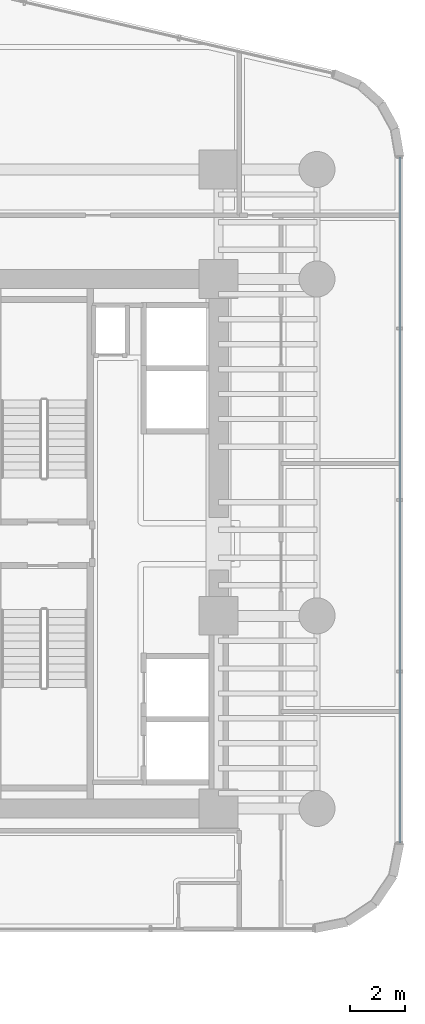
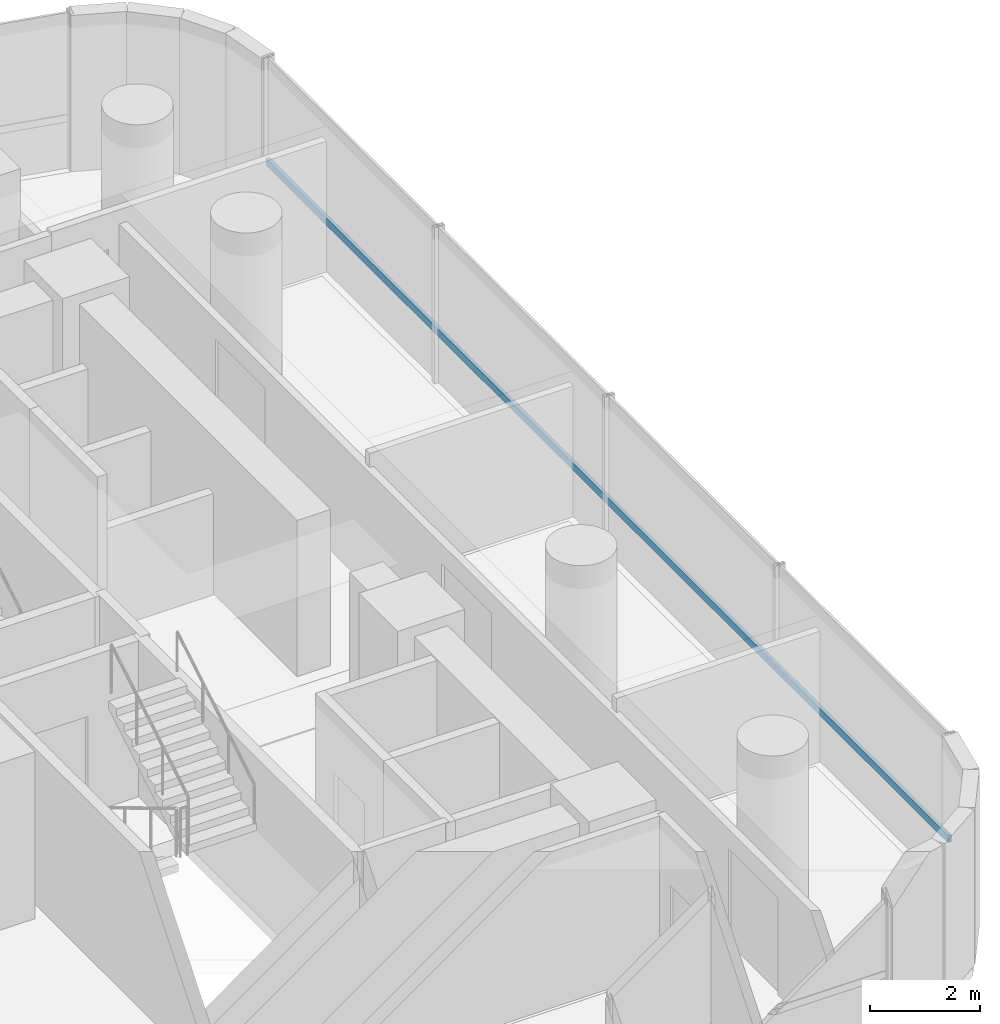
# One storey, part 26 of 41: 1 member, 1 element without a shape of its own.
"""IFC4 building model written with IfcOpenShell, lengths in metres."""

import ifcopenshell
import ifcopenshell.guid

model = None  # the IFC model being written
_history = None  # IfcOwnerHistory: only IFC2X3 demands one
_inside = {}  # id of a spatial element -> (the spatial element, [elements in it])
_under = {}  # id of a project, library or spatial element -> (it, [spatial elements below it])
_declared = {}  # id of a project -> (the project, [libraries it declares])
_typed = {}  # id of a type object -> (the type object, [elements of that type])
_made_of = {}  # id of a material, layer set ... -> (it, [elements and type objects made of it])


def new_model(schema):
    """Start an empty IFC model of exactly this schema.

    Asked for "IFC4X3", IfcOpenShell would pick the latest addendum, in which some entities
    have other attributes; the version numbers below select the first issue.
    IFC2X3 requires an IfcOwnerHistory on every rooted entity: one is made here for all.
    """
    global model, _history
    if schema == "IFC4X3":
        model = ifcopenshell.file(schema_version=(4, 3, 0, 0))
    else:
        model = ifcopenshell.file(schema=schema)
    _inside.clear()
    _under.clear()
    _declared.clear()
    _typed.clear()
    _made_of.clear()
    _history = None
    if model.schema == "IFC2X3":
        org = make("IfcOrganization", Name="unknown")
        user = make(
            "IfcPersonAndOrganization",
            ThePerson=make("IfcPerson", FamilyName="unknown"),
            TheOrganization=org,
        )
        app = make(
            "IfcApplication",
            ApplicationDeveloper=org,
            Version="unknown",
            ApplicationFullName="unknown",
            ApplicationIdentifier="unknown",
        )
        _history = make(
            "IfcOwnerHistory",
            OwningUser=user,
            OwningApplication=app,
            ChangeAction="ADDED",
            CreationDate=0,
        )
    return model


def make(cls, **values):
    """One entity of the class cls with the attributes given. An attribute that is None is left unset."""
    return model.create_entity(
        cls, **{name: value for name, value in values.items() if value is not None}
    )


def rooted(cls, **values):
    """An entity with a GlobalId (a new one), such as an element, a storey or a relation."""
    return make(cls, GlobalId=ifcopenshell.guid.new(), OwnerHistory=_history, **values)


def si_unit(unit_type, name, prefix=None):
    """IfcSIUnit, for example si_unit("LENGTHUNIT", "METRE", prefix="MILLI")."""
    return make("IfcSIUnit", UnitType=unit_type, Prefix=prefix, Name=name)


def assignment(units):
    """IfcUnitAssignment: the units of a project."""
    return None if units is None else make("IfcUnitAssignment", Units=units)


def point(xyz):
    """IfcCartesianPoint."""
    return None if xyz is None else make("IfcCartesianPoint", Coordinates=xyz)


def direction(xyz):
    """IfcDirection."""
    return None if xyz is None else make("IfcDirection", DirectionRatios=xyz)


def frame(location, z_axis=None, x_axis=None):
    """IfcAxis2Placement3D, a coordinate frame: its origin and axes. An axis left out is left unset."""
    return make(
        "IfcAxis2Placement3D",
        Location=point(location),
        Axis=direction(z_axis),
        RefDirection=direction(x_axis),
    )


def frame_2d(location, x_axis=None):
    """IfcAxis2Placement2D, a coordinate frame in the plane: its origin and x axis."""
    return make(
        "IfcAxis2Placement2D", Location=point(location), RefDirection=direction(x_axis)
    )


def origin():
    """The frame at (0, 0, 0) with its axes left unset."""
    return frame((0.0, 0.0, 0.0))


def origin_2d():
    """The frame at (0, 0) in the plane with its x axis left unset."""
    return frame_2d((0.0, 0.0))


def place(relative_to, where):
    """IfcLocalPlacement: puts the frame where relative to a parent placement (None: the world)."""
    return make(
        "IfcLocalPlacement", PlacementRelTo=relative_to, RelativePlacement=where
    )


def context(
    kind, dimensions, precision=None, world=None, true_north=None, identifier=None
):
    """IfcGeometricRepresentationContext, for example the 3D "Model" context."""
    return make(
        "IfcGeometricRepresentationContext",
        ContextIdentifier=identifier,
        ContextType=kind,
        CoordinateSpaceDimension=dimensions,
        Precision=precision,
        WorldCoordinateSystem=world,
        TrueNorth=true_north,
    )


def subcontext(parent, identifier, kind, view, scale=None):
    """IfcGeometricRepresentationSubContext, for example "Body" below "Model"."""
    return make(
        "IfcGeometricRepresentationSubContext",
        ContextIdentifier=identifier,
        ContextType=kind,
        ParentContext=parent,
        TargetScale=scale,
        TargetView=view,
    )


def project(units=None, contexts=None):
    """IfcProject with its units and contexts."""
    return rooted(
        "IfcProject",
        Name="project",
        RepresentationContexts=contexts,
        UnitsInContext=assignment(units),
    )


def spatial(cls, under=None, at=None, **own):
    """A site, building, storey or space (cls), placed at a placement, below another one or the project."""
    s = rooted(cls, ObjectPlacement=at, **own)
    if under is not None:
        _under.setdefault(under.id(), (under, []))[1].append(s)
    return s


def profile(cls, at=None, kind="AREA", **sizes):
    """A parametric profile (cls). Its sizes go by their IFC names, for example OverallWidth=200.0."""
    return make(cls, ProfileType=kind, Position=at, **sizes)


def hollow_rectangle(**sizes):
    """IfcRectangleHollowProfileDef."""
    return profile("IfcRectangleHollowProfileDef", **sizes)


def extrude(swept, where, along, depth):
    """IfcExtrudedAreaSolid: the profile swept, set in the frame where, extruded along a direction by depth."""
    return make(
        "IfcExtrudedAreaSolid",
        SweptArea=swept,
        Position=where,
        ExtrudedDirection=direction(along),
        Depth=depth,
    )


def shape(context_of_items, identifier, shape_type, items):
    """IfcShapeRepresentation: the items that make up one representation, for example the "Body"."""
    return make(
        "IfcShapeRepresentation",
        ContextOfItems=context_of_items,
        RepresentationIdentifier=identifier,
        RepresentationType=shape_type,
        Items=items,
    )


def source(mapping_origin, context_of_items, identifier, shape_type, items):
    """IfcRepresentationMap: a shape defined once, which mapped items show again and again."""
    return make(
        "IfcRepresentationMap",
        MappingOrigin=mapping_origin,
        MappedRepresentation=shape(context_of_items, identifier, shape_type, items),
    )


def transform(
    local_origin,
    x_axis=None,
    y_axis=None,
    z_axis=None,
    scale=None,
    scale2=None,
    scale3=None,
    uniform=True,
):
    """IfcCartesianTransformationOperator3D, or its non-uniform kind. x_axis, y_axis, z_axis: its Axis1, 2, 3."""
    if uniform:
        return make(
            "IfcCartesianTransformationOperator3D",
            Axis1=direction(x_axis),
            Axis2=direction(y_axis),
            LocalOrigin=point(local_origin),
            Scale=scale,
            Axis3=direction(z_axis),
        )
    return make(
        "IfcCartesianTransformationOperator3DnonUniform",
        Axis1=direction(x_axis),
        Axis2=direction(y_axis),
        LocalOrigin=point(local_origin),
        Scale=scale,
        Axis3=direction(z_axis),
        Scale2=scale2,
        Scale3=scale3,
    )


def mapped(mapping_source, mapping_target):
    """IfcMappedItem: shows the shape of a source again, moved by a transform."""
    return make(
        "IfcMappedItem", MappingSource=mapping_source, MappingTarget=mapping_target
    )


def material(Name=None, Category=None):
    """IfcMaterial."""
    return make("IfcMaterial", Name=Name, Category=Category)


def material_profile(
    of_material, cross_section, Name=None, Category=None, Priority=None
):
    """IfcMaterialProfile: a cross section and its material."""
    return make(
        "IfcMaterialProfile",
        Name=Name,
        Material=of_material,
        Profile=cross_section,
        Priority=Priority,
        Category=Category,
    )


def profile_set(profiles, Name=None, composite=None):
    """IfcMaterialProfileSet."""
    return make(
        "IfcMaterialProfileSet",
        Name=Name,
        MaterialProfiles=profiles,
        CompositeProfile=composite,
    )


def made_of(thing, what):
    """Note that an element or type object is made of a material, layer set ...; save() writes the relation."""
    if what is not None:
        _made_of.setdefault(what.id(), (what, []))[1].append(thing)
    return thing


def type_object(cls, material=None, **own):
    """A type object (cls), such as IfcWallType, which elements share."""
    return made_of(rooted(cls, **own), material)


def element(
    cls,
    number,
    at=None,
    inside=None,
    cuts=None,
    type_object=None,
    material=None,
    context=None,
    identifier="Body",
    shape_type=None,
    held_by="IfcProductDefinitionShape",
    body=None,
    shapes=None,
    **own,
):
    """One element of the class cls, such as IfcWall. Its Tag is "e" and its number.

    at: its placement. inside: the storey or other place that contains it. cuts: it is an
    opening in that element (IfcRelVoidsElement). A single representation is given by context,
    identifier, shape_type and body (its items); several are given by shapes. held_by: the class
    of the entity that holds the representations. save() writes the other relations.
    """
    e = rooted(cls, Tag="e%d" % number, ObjectPlacement=at, **own)
    if body is not None:
        shapes = [shape(context, identifier, shape_type, body)]
    if shapes is not None:
        e.Representation = make(held_by, Representations=shapes)
    if inside is not None:
        _inside.setdefault(inside.id(), (inside, []))[1].append(e)
    if cuts is not None:
        rooted(
            "IfcRelVoidsElement", RelatingBuildingElement=cuts, RelatedOpeningElement=e
        )
    if type_object is not None:
        _typed.setdefault(type_object.id(), (type_object, []))[1].append(e)
    return made_of(e, material)


def aggregate(whole, parts):
    """IfcRelAggregates: a whole, such as a stair, and the parts it consists of."""
    return rooted("IfcRelAggregates", RelatingObject=whole, RelatedObjects=parts)


def save(model, path):
    """Write the relations noted so far, then the file.

    IfcRelAggregates (storeys below a building ...), IfcRelContainedInSpatialStructure (elements
    in a storey), IfcRelDefinesByType, IfcRelAssociatesMaterial and IfcRelDeclares: one each for
    every whole, place, type object, material and project.
    """
    for whole, parts in _under.values():
        aggregate(whole, parts)
    for where, things in _inside.values():
        rooted(
            "IfcRelContainedInSpatialStructure",
            RelatedElements=things,
            RelatingStructure=where,
        )
    for kind, things in _typed.values():
        rooted("IfcRelDefinesByType", RelatedObjects=things, RelatingType=kind)
    for what, things in _made_of.values():
        rooted("IfcRelAssociatesMaterial", RelatedObjects=things, RelatingMaterial=what)
    for by, libraries in _declared.values():
        rooted("IfcRelDeclares", RelatingContext=by, RelatedDefinitions=libraries)
    model.write(path)


model = new_model("IFC4")

# Units and contexts
model_context = context("Model", 3, precision=1e-05, world=origin(), true_north=direction((0.0, 1.0)))
body_context = subcontext(model_context, "Body", "Model", "MODEL_VIEW")
ifc_project = project(units=[si_unit("LENGTHUNIT", "METRE"), si_unit("AREAUNIT", "SQUARE_METRE"), si_unit("VOLUMEUNIT", "CUBIC_METRE"), si_unit("PLANEANGLEUNIT", "RADIAN"), si_unit("MASSUNIT", "GRAM", prefix="KILO")], contexts=[model_context])

# Site, building, storey
site_placement = place(None, origin())
site = spatial("IfcSite", under=ifc_project, at=site_placement, CompositionType="ELEMENT")
building_placement = place(site_placement, origin())
building = spatial("IfcBuilding", under=site, at=building_placement, Name="Valdorenza Pilgrim Sanctuary Tower", CompositionType="ELEMENT")
storey_placement = place(building_placement, frame((0.0, 0.0, 59.300048828125)))
storey = spatial("IfcBuildingStorey", under=building, at=storey_placement, Name="L14", CompositionType="ELEMENT", Elevation=59.300048828125)

# Curtain wall, member
ifc_material_1 = material(Name="Curtain-wall IGU glazing", Category="glass")
curtain_wall_type = type_object("IfcCurtainWallType", Name="CW-SYS-03", PredefinedType="NOTDEFINED", material=ifc_material_1)
curtain_wall_placement = place(storey_placement, origin())
curtain_wall = element("IfcCurtainWall", 1, at=curtain_wall_placement, inside=storey, type_object=curtain_wall_type, Name="L14 Curtain Wall CW-L14-1-21", PredefinedType="NOTDEFINED")
ifc_material_2 = material(Name="Anodised aluminium AW-6060", Category="aluminium")
ifc_material_profile = material_profile(ifc_material_2, hollow_rectangle(XDim=0.074951171875, YDim=0.159912109375, WallThickness=0.00390625, at=origin_2d()), Name="ALU-T 160x75x4")
ifc_profile_set = profile_set([ifc_material_profile], Name="Anodised aluminium AW-6060")
member_type = type_object("IfcMemberType", Name="CW-TRN-03", PredefinedType="USERDEFINED", material=ifc_profile_set)
shared_shape = source(origin(), body_context, "Body", "SweptSolid", [
    extrude(hollow_rectangle(XDim=0.074951171875, YDim=0.159912109375, WallThickness=0.00390625, at=origin_2d()), origin(), (0.0, 0.0, 1.0), 24.734375),
])
member_placement = place(storey_placement, frame((31.389892578125, 13.945068359375, 1.119873046875), z_axis=(0.0, -1.0, 0.0), x_axis=(1.0, 0.0, 0.0)))
member = element("IfcMember", 2, at=member_placement, type_object=member_type, Name="CW-L14-1-21 Transom 1", ObjectType="TRANSOM", PredefinedType="USERDEFINED", context=body_context, shape_type="MappedRepresentation", body=[
    mapped(shared_shape, transform((0.0, 0.0, 0.0), x_axis=(1.0, 0.0, 0.0), y_axis=(0.0, 1.0, 0.0), z_axis=(0.0, 0.0, 1.0), scale=1.0)),
])
aggregate(curtain_wall, [member])

save(model, "model.ifc")
